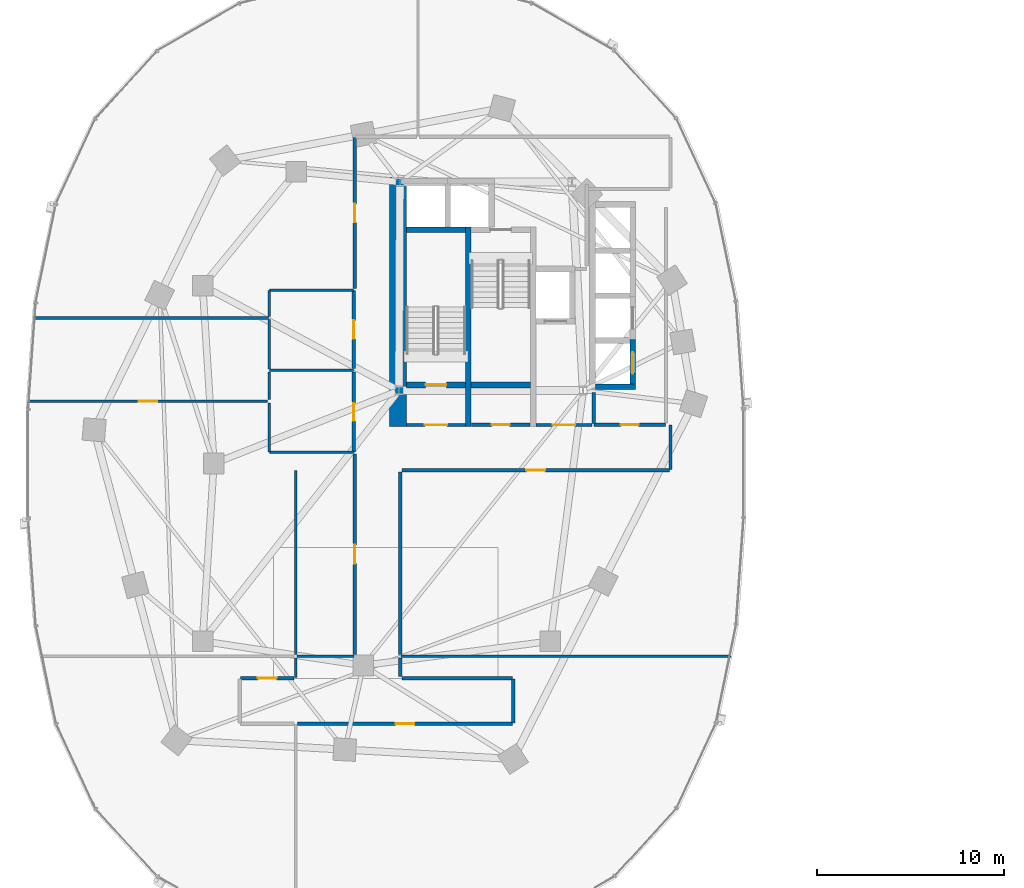
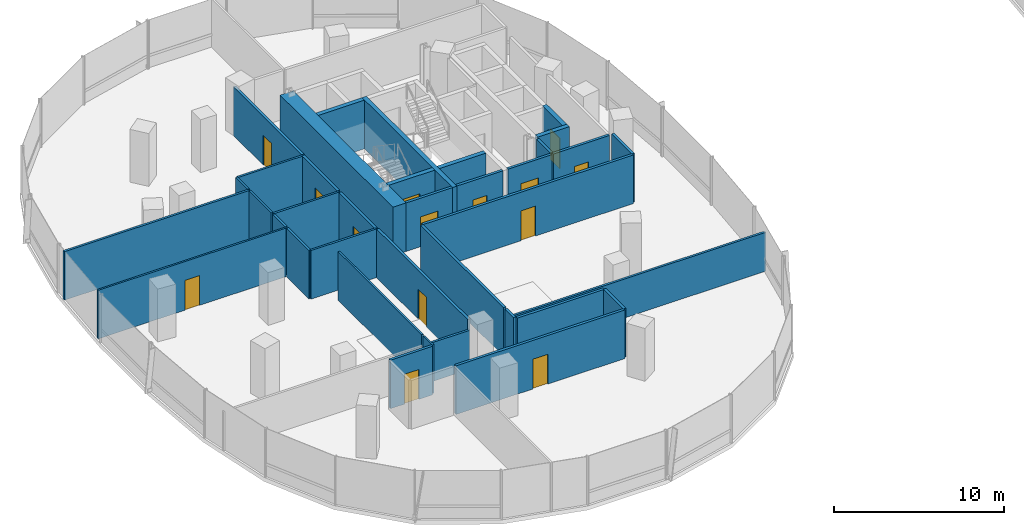
# One storey, part 11 of 21: 37 walls, 14 doors, 14 openings.
"""IFC4 building model written with IfcOpenShell, lengths in metres."""

from ifc_helpers import new_model, si_unit, direction, frame, frame_2d, origin, place, context, subcontext, project, spatial, rectangle, extrude, material, layer, layer_set, type_object, element, fill, save


model = new_model("IFC4")

# Units and contexts
model_context = context("Model", 3, precision=1e-05, world=origin(), true_north=direction((0.0, 1.0)))
body_context = subcontext(model_context, "Body", "Model", "MODEL_VIEW")
ifc_project = project(units=[si_unit("LENGTHUNIT", "METRE"), si_unit("AREAUNIT", "SQUARE_METRE"), si_unit("VOLUMEUNIT", "CUBIC_METRE"), si_unit("PLANEANGLEUNIT", "RADIAN"), si_unit("MASSUNIT", "GRAM", prefix="KILO"), si_unit("THERMODYNAMICTEMPERATUREUNIT", "KELVIN"), si_unit("POWERUNIT", "WATT")], contexts=[model_context])

# Site, building, storey
site_placement = place(None, origin())
site = spatial("IfcSite", under=ifc_project, at=site_placement, CompositionType="ELEMENT")
building_placement = place(site_placement, origin())
building = spatial("IfcBuilding", under=site, at=building_placement, Name="Cundina Bronze Exchange", CompositionType="ELEMENT")
storey_placement = place(building_placement, frame((0.0, 0.0, 46.800048828125)))
storey = spatial("IfcBuildingStorey", under=building, at=storey_placement, Name="L11", CompositionType="ELEMENT", Elevation=46.800048828125)

# Wall
ifc_material_1 = material(Name="Gypsum Fireboard Partition EI120")
ifc_layer_1 = layer(ifc_material_1, 0.179931640625, Name="Gypsum Fireboard Partition EI120")
ifc_layer_set_1 = layer_set([ifc_layer_1], Name="Gypsum Fireboard Partition EI120")
wall_type_1 = type_object("IfcWallType", Name="WL-COR-180", PredefinedType="PARTITIONING", material=ifc_layer_set_1)
wall_1_placement = place(storey_placement, frame((-20.889892578125, 2.14990234375, 0.0), z_axis=(0.0, 0.0, 1.0), x_axis=(0.0, 1.0, 0.0)))
element("IfcWall", 1, at=wall_1_placement, inside=storey, type_object=wall_type_1, Name="L11 W Firefighting Lobby Side Wall", PredefinedType="PARTITIONING", context=body_context, shape_type="SweptSolid", body=[
    extrude(rectangle(XDim=1.650146484375, YDim=0.179931640625, at=frame_2d((0.8251953125, 0.0))), origin(), (0.0, 0.0, 1.0), 3.5),
])

# Wall, opening, door
wall_2_placement = place(storey_placement, frame((-23.97998046875, 2.06005859375, 0.0), z_axis=(0.0, 0.0, 1.0), x_axis=(1.0, 0.0, 0.0)))
wall_2 = element("IfcWall", 2, at=wall_2_placement, inside=storey, type_object=wall_type_1, Name="L11 W Firefighting Lobby Exit Wall", PredefinedType="PARTITIONING", context=body_context, shape_type="SweptSolid", body=[
    extrude(rectangle(XDim=3.0, YDim=0.179931640625, at=frame_2d((1.5, 0.0))), origin(), (0.0, 0.0, 1.0), 3.5),
])
opening_1_placement = place(wall_2_placement, frame((0.89990234375, 0.0, 0.0)))
opening_1 = element("IfcOpeningElement", 3, at=opening_1_placement, cuts=wall_2, Name="Opening DF-01", PredefinedType="OPENING", context=body_context, shape_type="SweptSolid", body=[
    extrude(rectangle(XDim=1.199951171875, YDim=2.14990234375, at=frame_2d((0.60009765625, 1.074951171875))), frame((0.0, 0.099853515625, 0.0), z_axis=(0.0, -1.0, 0.0), x_axis=(1.0, 0.0, 0.0)), (0.0, 0.0, 1.0), 0.199951171875),
])
ifc_material_2 = material(Name="Steel ASTM A36 Painted", Category="steel")
door_type_1 = type_object("IfcDoorType", Name="DR-FFL-1200", OperationType="NOTDEFINED", PredefinedType="DOOR", material=ifc_material_2)
door_1_placement = place(opening_1_placement, origin())
door_1 = element("IfcDoor", 4, at=door_1_placement, inside=storey, type_object=door_type_1, Name="L11 W Firefighting Lobby Door", OperationType="SINGLE_SWING_RIGHT", OverallHeight=2.14990234375, OverallWidth=1.199951171875, PredefinedType="DOOR", context=body_context, shape_type="SweptSolid", body=[
    extrude(rectangle(XDim=1.199951171875, YDim=2.14990234375, at=frame_2d((0.60009765625, 1.074951171875))), frame((0.0, 0.02490234375, 0.0), z_axis=(0.0, -1.0, 0.0), x_axis=(1.0, 0.0, 0.0)), (0.0, 0.0, 1.0), 0.050048828125),
])
fill(opening_1, door_1)

wall_3_placement = place(storey_placement, frame((-30.89990234375, 2.06005859375, 0.0), z_axis=(0.0, 0.0, 1.0), x_axis=(1.0, 0.0, 0.0)))
wall_3 = element("IfcWall", 5, at=wall_3_placement, inside=storey, type_object=wall_type_1, Name="L11 W Stair Vestibule Exit Wall", PredefinedType="PARTITIONING", context=body_context, shape_type="SweptSolid", body=[
    extrude(rectangle(XDim=3.159912109375, YDim=0.179931640625, at=frame_2d((1.580078125, 0.0))), origin(), (0.0, 0.0, 1.0), 3.5),
])
opening_2_placement = place(wall_3_placement, frame((0.97998046875, 0.0, 0.0)))
opening_2 = element("IfcOpeningElement", 6, at=opening_2_placement, cuts=wall_3, Name="Opening DF-01", PredefinedType="OPENING", context=body_context, shape_type="SweptSolid", body=[
    extrude(rectangle(XDim=1.199951171875, YDim=2.14990234375, at=frame_2d((0.60009765625, 1.074951171875))), frame((0.0, 0.099853515625, 0.0), z_axis=(0.0, -1.0, 0.0), x_axis=(1.0, 0.0, 0.0)), (0.0, 0.0, 1.0), 0.199951171875),
])
door_2_placement = place(opening_2_placement, origin())
door_2 = element("IfcDoor", 7, at=door_2_placement, inside=storey, type_object=door_type_1, Name="L11 W Stair Vestibule Door", OperationType="SINGLE_SWING_LEFT", OverallHeight=2.14990234375, OverallWidth=1.199951171875, PredefinedType="DOOR", context=body_context, shape_type="SweptSolid", body=[
    extrude(rectangle(XDim=1.199951171875, YDim=2.14990234375, at=frame_2d((0.60009765625, 1.074951171875))), frame((0.0, 0.02490234375, 0.0), z_axis=(0.0, -1.0, 0.0), x_axis=(1.0, 0.0, 0.0)), (0.0, 0.0, 1.0), 0.050048828125),
])
fill(opening_2, door_2)

wall_4_placement = place(storey_placement, frame((-20.8701171875, 2.070068359375, 0.0), z_axis=(0.0, 0.0, 1.0), x_axis=(1.0, 0.0, 0.0)))
wall_4 = element("IfcWall", 8, at=wall_4_placement, inside=storey, type_object=wall_type_1, Name="L11 Interior Partition 002", PredefinedType="PARTITIONING", context=body_context, shape_type="SweptSolid", body=[
    extrude(rectangle(XDim=3.830078125, YDim=0.179931640625, at=frame_2d((1.9150390625, 0.0))), origin(), (0.0, 0.0, 1.0), 3.5),
])
opening_3_placement = place(wall_4_placement, frame((1.43994140625, 0.0, 0.0)))
opening_3 = element("IfcOpeningElement", 9, at=opening_3_placement, cuts=wall_4, Name="Opening DW-01", PredefinedType="OPENING", context=body_context, shape_type="SweptSolid", body=[
    extrude(rectangle(XDim=0.949951171875, YDim=2.10009765625, at=frame_2d((0.47509765625, 1.050048828125))), frame((0.0, 0.099853515625, 0.0), z_axis=(0.0, -1.0, 0.0), x_axis=(1.0, 0.0, 0.0)), (0.0, 0.0, 1.0), 0.199951171875),
])
ifc_material_3 = material(Name="Solid Andean Oak Timber Grade A", Category="wood")
door_type_2 = type_object("IfcDoorType", Name="DR-WC-950", OperationType="NOTDEFINED", PredefinedType="DOOR", material=ifc_material_3)
door_3_placement = place(opening_3_placement, origin())
door_3 = element("IfcDoor", 10, at=door_3_placement, inside=storey, type_object=door_type_2, Name="L11 Interior Door 002", OperationType="SINGLE_SWING_RIGHT", OverallHeight=2.10009765625, OverallWidth=0.949951171875, PredefinedType="DOOR", context=body_context, shape_type="SweptSolid", body=[
    extrude(rectangle(XDim=0.949951171875, YDim=2.10009765625, at=frame_2d((0.47509765625, 1.050048828125))), frame((0.0, 0.02490234375, 0.0), z_axis=(0.0, -1.0, 0.0), x_axis=(1.0, 0.0, 0.0)), (0.0, 0.0, 1.0), 0.050048828125),
])
fill(opening_3, door_3)

wall_5_placement = place(storey_placement, frame((-27.419921875, 2.070068359375, 0.0), z_axis=(0.0, 0.0, 1.0), x_axis=(1.0, 0.0, 0.0)))
wall_5 = element("IfcWall", 11, at=wall_5_placement, inside=storey, type_object=wall_type_1, Name="L11 Interior Partition 005", PredefinedType="PARTITIONING", context=body_context, shape_type="SweptSolid", body=[
    extrude(rectangle(XDim=3.119873046875, YDim=0.179931640625, at=frame_2d((1.56005859375, 0.0))), origin(), (0.0, 0.0, 1.0), 3.5),
])
opening_4_placement = place(wall_5_placement, frame((1.0849609375, 0.0, 0.0)))
opening_4 = element("IfcOpeningElement", 12, at=opening_4_placement, cuts=wall_5, Name="Opening DW-01", PredefinedType="OPENING", context=body_context, shape_type="SweptSolid", body=[
    extrude(rectangle(XDim=0.949951171875, YDim=2.10009765625, at=frame_2d((0.47509765625, 1.050048828125))), frame((0.0, 0.099853515625, 0.0), z_axis=(0.0, -1.0, 0.0), x_axis=(1.0, 0.0, 0.0)), (0.0, 0.0, 1.0), 0.199951171875),
])
door_4_placement = place(opening_4_placement, origin())
door_4 = element("IfcDoor", 13, at=door_4_placement, inside=storey, type_object=door_type_2, Name="L11 Interior Door 005", OperationType="SINGLE_SWING_RIGHT", OverallHeight=2.10009765625, OverallWidth=0.949951171875, PredefinedType="DOOR", context=body_context, shape_type="SweptSolid", body=[
    extrude(rectangle(XDim=0.949951171875, YDim=2.10009765625, at=frame_2d((0.47509765625, 1.050048828125))), frame((0.0, 0.02490234375, 0.0), z_axis=(0.0, -1.0, 0.0), x_axis=(1.0, 0.0, 0.0)), (0.0, 0.0, 1.0), 0.050048828125),
])
fill(opening_4, door_4)

wall_6_placement = place(storey_placement, frame((-33.719970703125, 0.6201171875, 0.0), z_axis=(0.0, 0.0, 1.0), x_axis=(0.0, 1.0, 0.0)))
wall_6 = element("IfcWall", 14, at=wall_6_placement, inside=storey, type_object=wall_type_1, Name="L11 Interior Partition 013", PredefinedType="PARTITIONING", context=body_context, shape_type="SweptSolid", body=[
    extrude(rectangle(XDim=4.259765625, YDim=0.179931640625, at=frame_2d((2.1298828125, 0.0))), origin(), (0.0, 0.0, 1.0), 3.5),
])
opening_5_placement = place(wall_6_placement, frame((1.655029296875, 0.0, 0.0)))
opening_5 = element("IfcOpeningElement", 15, at=opening_5_placement, cuts=wall_6, Name="Opening DW-01", PredefinedType="OPENING", context=body_context, shape_type="SweptSolid", body=[
    extrude(rectangle(XDim=0.949951171875, YDim=2.10009765625, at=frame_2d((0.47509765625, 1.050048828125))), frame((0.0, 0.099853515625, 0.0), z_axis=(0.0, -1.0, 0.0), x_axis=(1.0, 0.0, 0.0)), (0.0, 0.0, 1.0), 0.199951171875),
])
door_5_placement = place(opening_5_placement, origin())
door_5 = element("IfcDoor", 16, at=door_5_placement, inside=storey, type_object=door_type_2, Name="L11 Interior Door 013", OperationType="SINGLE_SWING_RIGHT", OverallHeight=2.10009765625, OverallWidth=0.949951171875, PredefinedType="DOOR", context=body_context, shape_type="SweptSolid", body=[
    extrude(rectangle(XDim=0.949951171875, YDim=2.10009765625, at=frame_2d((0.47509765625, 1.050048828125))), frame((0.0, 0.02490234375, 0.0), z_axis=(0.0, -1.0, 0.0), x_axis=(1.0, 0.0, 0.0)), (0.0, 0.0, 1.0), 0.050048828125),
])
fill(opening_5, door_5)

wall_7_placement = place(storey_placement, frame((-33.719970703125, 5.080078125, 0.0), z_axis=(0.0, 0.0, 1.0), x_axis=(0.0, 1.0, 0.0)))
wall_7 = element("IfcWall", 17, at=wall_7_placement, inside=storey, type_object=wall_type_1, Name="L11 Interior Partition 014", PredefinedType="PARTITIONING", context=body_context, shape_type="SweptSolid", body=[
    extrude(rectangle(XDim=4.159912109375, YDim=0.179931640625, at=frame_2d((2.080078125, 0.0))), origin(), (0.0, 0.0, 1.0), 3.5),
])
opening_6_placement = place(wall_7_placement, frame((1.580078125, 0.0, 0.0)))
opening_6 = element("IfcOpeningElement", 18, at=opening_6_placement, cuts=wall_7, Name="Opening DO-01", PredefinedType="OPENING", context=body_context, shape_type="SweptSolid", body=[
    extrude(rectangle(XDim=1.0, YDim=2.14990234375, at=frame_2d((0.5, 1.074951171875))), frame((0.0, 0.099853515625, 0.0), z_axis=(0.0, -1.0, 0.0), x_axis=(1.0, 0.0, 0.0)), (0.0, 0.0, 1.0), 0.199951171875),
])
door_type_3 = type_object("IfcDoorType", Name="DR-OFF-1000", OperationType="NOTDEFINED", PredefinedType="DOOR", material=ifc_material_3)
door_6_placement = place(opening_6_placement, origin())
door_6 = element("IfcDoor", 19, at=door_6_placement, inside=storey, type_object=door_type_3, Name="L11 Interior Door 014", OperationType="SINGLE_SWING_RIGHT", OverallHeight=2.14990234375, OverallWidth=1.0, PredefinedType="DOOR", context=body_context, shape_type="SweptSolid", body=[
    extrude(rectangle(XDim=1.0, YDim=2.14990234375, at=frame_2d((0.5, 1.074951171875))), frame((0.0, 0.02490234375, 0.0), z_axis=(0.0, -1.0, 0.0), x_axis=(1.0, 0.0, 0.0)), (0.0, 0.0, 1.0), 0.050048828125),
])
fill(opening_6, door_6)

wall_8_placement = place(storey_placement, frame((-36.72998046875, -13.919921875, 0.0), z_axis=(0.0, 0.0, 1.0), x_axis=(1.0, 0.0, 0.0)))
wall_8 = element("IfcWall", 20, at=wall_8_placement, inside=storey, type_object=wall_type_1, Name="L11 Interior Partition 023", PredefinedType="PARTITIONING", context=body_context, shape_type="SweptSolid", body=[
    extrude(rectangle(XDim=11.508544921875, YDim=0.179931640625, at=frame_2d((5.75439453125, 0.0))), origin(), (0.0, 0.0, 1.0), 3.5),
])
opening_7_placement = place(wall_8_placement, frame((5.254150390625, 0.0, 0.0)))
opening_7 = element("IfcOpeningElement", 21, at=opening_7_placement, cuts=wall_8, Name="Opening DO-01", PredefinedType="OPENING", context=body_context, shape_type="SweptSolid", body=[
    extrude(rectangle(XDim=1.0, YDim=2.14990234375, at=frame_2d((0.5, 1.074951171875))), frame((0.0, 0.099853515625, 0.0), z_axis=(0.0, -1.0, 0.0), x_axis=(1.0, 0.0, 0.0)), (0.0, 0.0, 1.0), 0.199951171875),
])
door_7_placement = place(opening_7_placement, origin())
door_7 = element("IfcDoor", 22, at=door_7_placement, inside=storey, type_object=door_type_3, Name="L11 Interior Door 023", OperationType="SINGLE_SWING_RIGHT", OverallHeight=2.14990234375, OverallWidth=1.0, PredefinedType="DOOR", context=body_context, shape_type="SweptSolid", body=[
    extrude(rectangle(XDim=1.0, YDim=2.14990234375, at=frame_2d((0.5, 1.074951171875))), frame((0.0, 0.02490234375, 0.0), z_axis=(0.0, -1.0, 0.0), x_axis=(1.0, 0.0, 0.0)), (0.0, 0.0, 1.0), 0.050048828125),
])
fill(opening_7, door_7)

# Walls
wall_9_placement = place(storey_placement, frame((-25.221435546875, -11.47998046875, 0.0), z_axis=(0.0, 0.0, 1.0), x_axis=(-1.0, 0.0, 0.0)))
element("IfcWall", 23, at=wall_9_placement, inside=storey, type_object=wall_type_1, Name="L11 Interior Partition 024", PredefinedType="PARTITIONING", context=body_context, shape_type="SweptSolid", body=[
    extrude(rectangle(XDim=5.928466796875, YDim=0.179931640625, at=frame_2d((2.96435546875, 0.0))), origin(), (0.0, 0.0, 1.0), 3.5),
])
wall_10_placement = place(storey_placement, frame((-25.179931640625, -13.87841796875, 0.0), z_axis=(0.0, 0.0, 1.0), x_axis=(0.0, 1.0, 0.0)))
element("IfcWall", 24, at=wall_10_placement, inside=storey, type_object=wall_type_1, Name="L11 Interior Partition 025", PredefinedType="PARTITIONING", context=body_context, shape_type="SweptSolid", body=[
    extrude(rectangle(XDim=2.35693359375, YDim=0.179931640625, at=frame_2d((1.178466796875, 0.0))), origin(), (0.0, 0.0, 1.0), 3.5),
])
wall_11_placement = place(storey_placement, frame((-31.22998046875, -11.39990234375, 0.0), z_axis=(0.0, 0.0, 1.0), x_axis=(0.0, 1.0, 0.0)))
element("IfcWall", 25, at=wall_11_placement, inside=storey, type_object=wall_type_1, Name="L11 Interior Partition 026", PredefinedType="PARTITIONING", context=body_context, shape_type="SweptSolid", body=[
    extrude(rectangle(XDim=1.0, YDim=0.179931640625, at=frame_2d((0.5, 0.0))), origin(), (0.0, 0.0, 1.0), 3.5),
])

# Wall, opening, door
wall_12_placement = place(storey_placement, frame((-36.909912109375, -11.47998046875, 0.0), z_axis=(0.0, 0.0, 1.0), x_axis=(-1.0, 0.0, 0.0)))
wall_12 = element("IfcWall", 26, at=wall_12_placement, inside=storey, type_object=wall_type_1, Name="L11 Interior Partition 027", PredefinedType="PARTITIONING", context=body_context, shape_type="SweptSolid", body=[
    extrude(rectangle(XDim=2.86865234375, YDim=0.179931640625, at=frame_2d((1.434326171875, 0.0))), origin(), (0.0, 0.0, 1.0), 3.5),
])
opening_8_placement = place(wall_12_placement, frame((0.934326171875, 0.0, 0.0)))
opening_8 = element("IfcOpeningElement", 27, at=opening_8_placement, cuts=wall_12, Name="Opening DO-01", PredefinedType="OPENING", context=body_context, shape_type="SweptSolid", body=[
    extrude(rectangle(XDim=1.0, YDim=2.14990234375, at=frame_2d((0.5, 1.074951171875))), frame((0.0, 0.099853515625, 0.0), z_axis=(0.0, -1.0, 0.0), x_axis=(1.0, 0.0, 0.0)), (0.0, 0.0, 1.0), 0.199951171875),
])
door_8_placement = place(opening_8_placement, origin())
door_8 = element("IfcDoor", 28, at=door_8_placement, inside=storey, type_object=door_type_3, Name="L11 Interior Door 027", OperationType="SINGLE_SWING_LEFT", OverallHeight=2.14990234375, OverallWidth=1.0, PredefinedType="DOOR", context=body_context, shape_type="SweptSolid", body=[
    extrude(rectangle(XDim=1.0, YDim=2.14990234375, at=frame_2d((0.5, 1.074951171875))), frame((0.0, 0.02490234375, 0.0), z_axis=(0.0, -1.0, 0.0), x_axis=(1.0, 0.0, 0.0)), (0.0, 0.0, 1.0), 0.050048828125),
])
fill(opening_8, door_8)

wall_13_placement = place(storey_placement, frame((-33.669921875, 0.508544921875, 0.0), z_axis=(0.0, 0.0, 1.0), x_axis=(0.0, -1.0, 0.0)))
wall_13 = element("IfcWall", 29, at=wall_13_placement, inside=storey, type_object=wall_type_1, Name="L11 Interior Partition 030", PredefinedType="PARTITIONING", context=body_context, shape_type="SweptSolid", body=[
    extrude(rectangle(XDim=10.728515625, YDim=0.179931640625, at=frame_2d((5.3642578125, 0.0))), origin(), (0.0, 0.0, 1.0), 3.5),
])
opening_9_placement = place(wall_13_placement, frame((4.8642578125, 0.0, 0.0)))
opening_9 = element("IfcOpeningElement", 30, at=opening_9_placement, cuts=wall_13, Name="Opening DO-01", PredefinedType="OPENING", context=body_context, shape_type="SweptSolid", body=[
    extrude(rectangle(XDim=1.0, YDim=2.14990234375, at=frame_2d((0.5, 1.074951171875))), frame((0.0, 0.099853515625, 0.0), z_axis=(0.0, -1.0, 0.0), x_axis=(1.0, 0.0, 0.0)), (0.0, 0.0, 1.0), 0.199951171875),
])
door_9_placement = place(opening_9_placement, origin())
door_9 = element("IfcDoor", 31, at=door_9_placement, inside=storey, type_object=door_type_3, Name="L11 Interior Door 030", OperationType="SINGLE_SWING_LEFT", OverallHeight=2.14990234375, OverallWidth=1.0, PredefinedType="DOOR", context=body_context, shape_type="SweptSolid", body=[
    extrude(rectangle(XDim=1.0, YDim=2.14990234375, at=frame_2d((0.5, 1.074951171875))), frame((0.0, 0.02490234375, 0.0), z_axis=(0.0, -1.0, 0.0), x_axis=(1.0, 0.0, 0.0)), (0.0, 0.0, 1.0), 0.050048828125),
])
fill(opening_9, door_9)

wall_14_placement = place(storey_placement, frame((-31.14990234375, -0.3701171875, 0.0), z_axis=(0.0, 0.0, 1.0), x_axis=(1.0, 0.0, 0.0)))
wall_14 = element("IfcWall", 32, at=wall_14_placement, inside=storey, type_object=wall_type_1, Name="L11 Interior Partition 031", PredefinedType="PARTITIONING", context=body_context, shape_type="SweptSolid", body=[
    extrude(rectangle(XDim=14.328369140625, YDim=0.179931640625, at=frame_2d((7.1640625, 0.0))), origin(), (0.0, 0.0, 1.0), 3.5),
])
opening_10_placement = place(wall_14_placement, frame((6.664306640625, 0.0, 0.0)))
opening_10 = element("IfcOpeningElement", 33, at=opening_10_placement, cuts=wall_14, Name="Opening DO-01", PredefinedType="OPENING", context=body_context, shape_type="SweptSolid", body=[
    extrude(rectangle(XDim=1.0, YDim=2.14990234375, at=frame_2d((0.5, 1.074951171875))), frame((0.0, 0.099853515625, 0.0), z_axis=(0.0, -1.0, 0.0), x_axis=(1.0, 0.0, 0.0)), (0.0, 0.0, 1.0), 0.199951171875),
])
door_10_placement = place(opening_10_placement, origin())
door_10 = element("IfcDoor", 34, at=door_10_placement, inside=storey, type_object=door_type_3, Name="L11 Interior Door 031", OperationType="SINGLE_SWING_RIGHT", OverallHeight=2.14990234375, OverallWidth=1.0, PredefinedType="DOOR", context=body_context, shape_type="SweptSolid", body=[
    extrude(rectangle(XDim=1.0, YDim=2.14990234375, at=frame_2d((0.5, 1.074951171875))), frame((0.0, 0.02490234375, 0.0), z_axis=(0.0, -1.0, 0.0), x_axis=(1.0, 0.0, 0.0)), (0.0, 0.0, 1.0), 0.050048828125),
])
fill(opening_10, door_10)

# Walls
wall_15_placement = place(storey_placement, frame((-31.22998046875, -10.219970703125, 0.0), z_axis=(0.0, 0.0, 1.0), x_axis=(0.0, 1.0, 0.0)))
element("IfcWall", 35, at=wall_15_placement, inside=storey, type_object=wall_type_1, Name="L11 Interior Partition 033", PredefinedType="PARTITIONING", context=body_context, shape_type="SweptSolid", body=[
    extrude(rectangle(XDim=9.77001953125, YDim=0.179931640625, at=frame_2d((4.885009765625, 0.0))), origin(), (0.0, 0.0, 1.0), 3.5),
])
wall_16_placement = place(storey_placement, frame((-16.780029296875, -0.32861328125, 0.0), z_axis=(0.0, 0.0, 1.0), x_axis=(0.0, 1.0, 0.0)))
element("IfcWall", 36, at=wall_16_placement, inside=storey, type_object=wall_type_1, Name="L11 Interior Partition 036", PredefinedType="PARTITIONING", context=body_context, shape_type="SweptSolid", body=[
    extrude(rectangle(XDim=2.38720703125, YDim=0.179931640625, at=frame_2d((1.193603515625, 0.0))), origin(), (0.0, 0.0, 1.0), 3.5),
])

# Wall, opening, door
wall_17_placement = place(storey_placement, frame((-33.669921875, 17.428466796875, 0.0), z_axis=(0.0, 0.0, 1.0), x_axis=(0.0, -1.0, 0.0)))
wall_17 = element("IfcWall", 37, at=wall_17_placement, inside=storey, type_object=wall_type_1, Name="L11 Interior Partition 037", PredefinedType="PARTITIONING", context=body_context, shape_type="SweptSolid", body=[
    extrude(rectangle(XDim=8.0771484375, YDim=0.179931640625, at=frame_2d((4.03857421875, 0.0))), origin(), (0.0, 0.0, 1.0), 3.5),
])
opening_11_placement = place(wall_17_placement, frame((3.53857421875, 0.0, 0.0)))
opening_11 = element("IfcOpeningElement", 38, at=opening_11_placement, cuts=wall_17, Name="Opening DO-01", PredefinedType="OPENING", context=body_context, shape_type="SweptSolid", body=[
    extrude(rectangle(XDim=1.0, YDim=2.14990234375, at=frame_2d((0.5, 1.074951171875))), frame((0.0, 0.099853515625, 0.0), z_axis=(0.0, -1.0, 0.0), x_axis=(1.0, 0.0, 0.0)), (0.0, 0.0, 1.0), 0.199951171875),
])
door_11_placement = place(opening_11_placement, origin())
door_11 = element("IfcDoor", 39, at=door_11_placement, inside=storey, type_object=door_type_3, Name="L11 Interior Door 037", OperationType="SINGLE_SWING_LEFT", OverallHeight=2.14990234375, OverallWidth=1.0, PredefinedType="DOOR", context=body_context, shape_type="SweptSolid", body=[
    extrude(rectangle(XDim=1.0, YDim=2.14990234375, at=frame_2d((0.5, 1.074951171875))), frame((0.0, 0.02490234375, 0.0), z_axis=(0.0, -1.0, 0.0), x_axis=(1.0, 0.0, 0.0)), (0.0, 0.0, 1.0), 0.050048828125),
])
fill(opening_11, door_11)

# Walls
ifc_material_4 = material(Name="Concrete C60/75", Category="concrete")
ifc_layer_2 = layer(ifc_material_4, 0.89990234375, Name="Concrete C60/75", Category="concrete")
ifc_layer_set_2 = layer_set([ifc_layer_2], Name="Concrete C60/75")
wall_type_2 = type_object("IfcWallType", Name="WL-CORE-900", PredefinedType="SHEAR", material=ifc_layer_set_2)
wall_18_placement = place(storey_placement, frame((-31.35009765625, 1.969970703125, 0.0), z_axis=(0.0, 0.0, 1.0), x_axis=(0.0, 1.0, 0.0)))
element("IfcWall", 40, at=wall_18_placement, inside=storey, type_object=wall_type_2, Name="L11 W Primary Core Shear Spine Wall", PredefinedType="SHEAR", context=body_context, shape_type="SweptSolid", body=[
    extrude(rectangle(XDim=13.330078125, YDim=0.89990234375, at=frame_2d((6.6650390625, 0.0))), origin(), (0.0, 0.0, 1.0), 3.5),
])
ifc_material_5 = material(Name="Gypsum Acoustic Partition EI60")
ifc_layer_3 = layer(ifc_material_5, 0.125, Name="Gypsum Acoustic Partition EI60")
ifc_layer_set_3 = layer_set([ifc_layer_3], Name="Gypsum Acoustic Partition EI60")
wall_type_3 = type_object("IfcWallType", Name="WL-OFF-125", PredefinedType="PARTITIONING", material=ifc_layer_set_3)
wall_19_placement = place(storey_placement, frame((-36.820068359375, -11.449951171875, 0.0), z_axis=(0.0, 0.0, 1.0), x_axis=(0.0, 1.0, 0.0)))
element("IfcWall", 41, at=wall_19_placement, inside=storey, type_object=wall_type_3, Name="L11 Interior Partition 016", PredefinedType="PARTITIONING", context=body_context, shape_type="SweptSolid", body=[
    extrude(rectangle(XDim=1.054931640625, YDim=0.125, at=frame_2d((0.52734375, 0.0))), origin(), (0.0, 0.0, 1.0), 3.5),
])
wall_20_placement = place(storey_placement, frame((-36.820068359375, -10.22509765625, 0.0), z_axis=(0.0, 0.0, 1.0), x_axis=(0.0, 1.0, 0.0)))
element("IfcWall", 42, at=wall_20_placement, inside=storey, type_object=wall_type_3, Name="L11 Interior Partition 017", PredefinedType="PARTITIONING", context=body_context, shape_type="SweptSolid", body=[
    extrude(rectangle(XDim=9.85498046875, YDim=0.125, at=frame_2d((4.927490234375, 0.0))), origin(), (0.0, 0.0, 1.0), 3.5),
])

# Wall, opening, door
wall_21_placement = place(storey_placement, frame((-38.320068359375, 3.330078125, 0.0), z_axis=(0.0, 0.0, 1.0), x_axis=(-1.0, 0.0, 0.0)))
wall_21 = element("IfcWall", 43, at=wall_21_placement, inside=storey, type_object=wall_type_3, Name="L11 Interior Partition 039", PredefinedType="PARTITIONING", context=body_context, shape_type="SweptSolid", body=[
    extrude(rectangle(XDim=12.80126953125, YDim=0.125, at=frame_2d((6.400634765625, 0.0))), origin(), (0.0, 0.0, 1.0), 3.5),
])
opening_12_placement = place(wall_21_placement, frame((5.900634765625, 0.0, 0.0)))
opening_12 = element("IfcOpeningElement", 44, at=opening_12_placement, cuts=wall_21, Name="Opening DO-01", PredefinedType="OPENING", context=body_context, shape_type="SweptSolid", body=[
    extrude(rectangle(XDim=1.0, YDim=2.14990234375, at=frame_2d((0.5, 1.074951171875))), frame((0.0, 0.072509765625, 0.0), z_axis=(0.0, -1.0, 0.0), x_axis=(1.0, 0.0, 0.0)), (0.0, 0.0, 1.0), 0.14501953125),
])
door_12_placement = place(opening_12_placement, origin())
door_12 = element("IfcDoor", 45, at=door_12_placement, inside=storey, type_object=door_type_3, Name="L11 Interior Door 039", OperationType="SINGLE_SWING_RIGHT", OverallHeight=2.14990234375, OverallWidth=1.0, PredefinedType="DOOR", context=body_context, shape_type="SweptSolid", body=[
    extrude(rectangle(XDim=1.0, YDim=2.14990234375, at=frame_2d((0.5, 1.074951171875))), frame((0.0, 0.02490234375, 0.0), z_axis=(0.0, -1.0, 0.0), x_axis=(1.0, 0.0, 0.0)), (0.0, 0.0, 1.0), 0.050048828125),
])
fill(opening_12, door_12)

# Wall
ifc_material_6 = material(Name="Concrete C50/60", Category="concrete")
ifc_layer_4 = layer(ifc_material_6, 0.300048828125, Name="Concrete C50/60", Category="concrete")
ifc_layer_set_4 = layer_set([ifc_layer_4], Name="Concrete C50/60")
wall_type_4 = type_object("IfcWallType", Name="WL-SHFT-300", PredefinedType="SHEAR", material=ifc_layer_set_4)
wall_22_placement = place(storey_placement, frame((-27.590087890625, 1.969970703125, 0.0), z_axis=(0.0, 0.0, 1.0), x_axis=(0.0, 1.0, 0.0)))
element("IfcWall", 46, at=wall_22_placement, inside=storey, type_object=wall_type_4, Name="L11 W Stair Shaft Dividing Shear Wall", PredefinedType="SHEAR", context=body_context, shape_type="SweptSolid", body=[
    extrude(rectangle(XDim=10.679931640625, YDim=0.300048828125, at=frame_2d((5.33984375, 0.0))), origin(), (0.0, 0.0, 1.0), 3.5),
])

# Wall, opening, door
wall_23_placement = place(storey_placement, frame((-30.89990234375, 4.199951171875, 0.0), z_axis=(0.0, 0.0, 1.0), x_axis=(1.0, 0.0, 0.0)))
wall_23 = element("IfcWall", 47, at=wall_23_placement, inside=storey, type_object=wall_type_4, Name="L11 Stair W1 Landing Wall", PredefinedType="SHEAR", context=body_context, shape_type="SweptSolid", body=[
    extrude(rectangle(XDim=3.159912109375, YDim=0.300048828125, at=frame_2d((1.580078125, 0.0))), origin(), (0.0, 0.0, 1.0), 3.5),
])
opening_13_placement = place(wall_23_placement, frame((1.030029296875, 0.0, 0.0)))
opening_13 = element("IfcOpeningElement", 48, at=opening_13_placement, cuts=wall_23, Name="Opening DS-01", PredefinedType="OPENING", context=body_context, shape_type="SweptSolid", body=[
    extrude(rectangle(XDim=1.10009765625, YDim=2.14990234375, at=frame_2d((0.550048828125, 1.074951171875))), frame((0.0, 0.159912109375, 0.0), z_axis=(0.0, -1.0, 0.0), x_axis=(1.0, 0.0, 0.0)), (0.0, 0.0, 1.0), 0.320068359375),
])
door_type_4 = type_object("IfcDoorType", Name="DR-STR-1100", OperationType="NOTDEFINED", PredefinedType="DOOR", material=ifc_material_2)
door_13_placement = place(opening_13_placement, origin())
door_13 = element("IfcDoor", 49, at=door_13_placement, inside=storey, type_object=door_type_4, Name="L11 Smokeproof Stair W1 Door", OperationType="SINGLE_SWING_RIGHT", OverallHeight=2.14990234375, OverallWidth=1.10009765625, PredefinedType="DOOR", context=body_context, shape_type="SweptSolid", body=[
    extrude(rectangle(XDim=1.10009765625, YDim=2.14990234375, at=frame_2d((0.550048828125, 1.074951171875))), frame((0.0, 0.02490234375, 0.0), z_axis=(0.0, -1.0, 0.0), x_axis=(1.0, 0.0, 0.0)), (0.0, 0.0, 1.0), 0.050048828125),
])
fill(opening_13, door_13)

# Walls
for number, where, z_axis, x_axis, name in (
    (50, (-30.89990234375, 12.5, 0.0), (0.0, 0.0, 1.0), (1.0, 0.0, 0.0), "L11 Stair W1 Far Shaft Wall"),
    (51, (-27.43994140625, 4.199951171875, 0.0), (0.0, 0.0, 1.0), (1.0, 0.0, 0.0), "L11 Stair W2 Far Shaft Wall"),
):
    element("IfcWall", number, at=place(storey_placement, frame(where, z_axis=z_axis, x_axis=x_axis)), inside=storey, type_object=wall_type_4, Name=name, PredefinedType="SHEAR", context=body_context, shape_type="SweptSolid", body=[
        extrude(rectangle(XDim=3.159912109375, YDim=0.300048828125, at=frame_2d((1.580078125, 0.0))), origin(), (0.0, 0.0, 1.0), 3.5),
    ])
wall_24_placement = place(storey_placement, frame((-20.800048828125, 4.10009765625, 0.0), z_axis=(0.0, 0.0, 1.0), x_axis=(1.0, 0.0, 0.0)))
element("IfcWall", 52, at=wall_24_placement, inside=storey, type_object=wall_type_4, Name="L11 W Passenger Bank South Cap Wall", PredefinedType="SHEAR", context=body_context, shape_type="SweptSolid", body=[
    extrude(rectangle(XDim=2.150146484375, YDim=0.300048828125, at=frame_2d((1.0751953125, 0.0))), origin(), (0.0, 0.0, 1.0), 3.5),
])

# Wall, opening, door
wall_25_placement = place(storey_placement, frame((-18.800048828125, 4.1298828125, 0.0), z_axis=(0.0, 0.0, 1.0), x_axis=(0.0, 1.0, 0.0)))
wall_25 = element("IfcWall", 53, at=wall_25_placement, inside=storey, type_object=wall_type_4, Name="L11 PL-W2 Hoistway Front Wall", PredefinedType="SHEAR", context=body_context, shape_type="SweptSolid", body=[
    extrude(rectangle(XDim=2.490234375, YDim=0.300048828125, at=frame_2d((1.2451171875, 0.0))), origin(), (0.0, 0.0, 1.0), 3.5),
])
opening_14_placement = place(wall_25_placement, frame((0.669921875, 0.0, 0.0)))
opening_14 = element("IfcOpeningElement", 54, at=opening_14_placement, cuts=wall_25, Name="Opening LD-01", PredefinedType="OPENING", context=body_context, shape_type="SweptSolid", body=[
    extrude(rectangle(XDim=1.14990234375, YDim=2.199951171875, at=frame_2d((0.574951171875, 1.10009765625))), frame((0.0, 0.159912109375, 0.0), z_axis=(0.0, -1.0, 0.0), x_axis=(1.0, 0.0, 0.0)), (0.0, 0.0, 1.0), 0.320068359375),
])
door_type_5 = type_object("IfcDoorType", Name="DR-LND-1150", OperationType="NOTDEFINED", PredefinedType="TRAPDOOR", material=ifc_material_2)
door_14_placement = place(opening_14_placement, origin())
door_14 = element("IfcDoor", 55, at=door_14_placement, inside=storey, type_object=door_type_5, Name="L11 PL-W2 Sliding Landing Door", OperationType="SLIDING_TO_LEFT", OverallHeight=2.199951171875, OverallWidth=1.14990234375, PredefinedType="TRAPDOOR", context=body_context, shape_type="SweptSolid", body=[
    extrude(rectangle(XDim=1.14990234375, YDim=2.199951171875, at=frame_2d((0.574951171875, 1.10009765625))), frame((0.0, 0.02490234375, 0.0), z_axis=(0.0, -1.0, 0.0), x_axis=(1.0, 0.0, 0.0)), (0.0, 0.0, 1.0), 0.050048828125),
])
fill(opening_14, door_14)

# Walls
ifc_layer_5 = layer(ifc_material_5, 0.14990234375, Name="Gypsum Acoustic Partition EI60")
ifc_layer_set_5 = layer_set([ifc_layer_5], Name="Gypsum Acoustic Partition EI60")
wall_type_5 = type_object("IfcWallType", Name="WL-TEN-150", PredefinedType="PARTITIONING", material=ifc_layer_set_5)
wall_26_placement = place(storey_placement, frame((-36.7451171875, -10.31005859375, 0.0), z_axis=(0.0, 0.0, 1.0), x_axis=(1.0, 0.0, 0.0)))
element("IfcWall", 56, at=wall_26_placement, inside=storey, type_object=wall_type_5, Name="L11 Interior Partition 019", PredefinedType="PARTITIONING", context=body_context, shape_type="SweptSolid", body=[
    extrude(rectangle(XDim=3.045166015625, YDim=0.14990234375, at=frame_2d((1.5224609375, 0.0))), origin(), (0.0, 0.0, 1.0), 2.804931640625),
])
wall_27_placement = place(storey_placement, frame((-31.199951171875, -10.31005859375, 0.0), z_axis=(0.0, 0.0, 1.0), x_axis=(1.0, 0.0, 0.0)))
element("IfcWall", 57, at=wall_27_placement, inside=storey, type_object=wall_type_5, Name="L11 Interior Partition 020", PredefinedType="PARTITIONING", context=body_context, shape_type="SweptSolid", body=[
    extrude(rectangle(XDim=17.66357421875, YDim=0.14990234375, at=frame_2d((8.831787109375, 0.0))), origin(), (0.0, 0.0, 1.0), 2.804931640625),
])
wall_28_placement = place(storey_placement, frame((-50.866455078125, 7.780029296875, 0.0), z_axis=(0.0, 0.0, 1.0), x_axis=(1.0, 0.0, 0.0)))
element("IfcWall", 58, at=wall_28_placement, inside=storey, type_object=wall_type_5, Name="L11 Interior Partition 021", PredefinedType="PARTITIONING", context=body_context, shape_type="SweptSolid", body=[
    extrude(rectangle(XDim=12.596435546875, YDim=0.14990234375, at=frame_2d((6.29833984375, 0.0))), origin(), (0.0, 0.0, 1.0), 3.5),
])
ifc_material_7 = material(Name="Moisture-Resistant Masonry Block Grade M15", Category="masonry")
ifc_layer_6 = layer(ifc_material_7, 0.139892578125, Name="Moisture-Resistant Masonry Block Grade M15", Category="masonry")
ifc_layer_set_6 = layer_set([ifc_layer_6], Name="Moisture-Resistant Masonry Block Grade M15")
wall_type_6 = type_object("IfcWallType", Name="WL-WET-140", PredefinedType="PARTITIONING", material=ifc_layer_set_6)
wall_29_placement = place(storey_placement, frame((-38.239990234375, 0.6201171875, 0.0), z_axis=(0.0, 0.0, 1.0), x_axis=(0.0, 1.0, 0.0)))
element("IfcWall", 59, at=wall_29_placement, inside=storey, type_object=wall_type_6, Name="L11 Interior Partition 006", PredefinedType="PARTITIONING", context=body_context, shape_type="SweptSolid", body=[
    extrude(rectangle(XDim=2.625, YDim=0.139892578125, at=frame_2d((1.3125, 0.0))), origin(), (0.0, 0.0, 1.0), 3.5),
])
wall_30_placement = place(storey_placement, frame((-38.239990234375, 3.4150390625, 0.0), z_axis=(0.0, 0.0, 1.0), x_axis=(0.0, 1.0, 0.0)))
element("IfcWall", 60, at=wall_30_placement, inside=storey, type_object=wall_type_6, Name="L11 Interior Partition 007", PredefinedType="PARTITIONING", context=body_context, shape_type="SweptSolid", body=[
    extrude(rectangle(XDim=1.47998046875, YDim=0.139892578125, at=frame_2d((0.739990234375, 0.0))), origin(), (0.0, 0.0, 1.0), 3.5),
])
wall_31_placement = place(storey_placement, frame((-38.239990234375, 5.06494140625, 0.0), z_axis=(0.0, 0.0, 1.0), x_axis=(0.0, 1.0, 0.0)))
element("IfcWall", 61, at=wall_31_placement, inside=storey, type_object=wall_type_6, Name="L11 Interior Partition 008", PredefinedType="PARTITIONING", context=body_context, shape_type="SweptSolid", body=[
    extrude(rectangle(XDim=2.630126953125, YDim=0.139892578125, at=frame_2d((1.31494140625, 0.0))), origin(), (0.0, 0.0, 1.0), 3.5),
])
wall_32_placement = place(storey_placement, frame((-38.239990234375, 7.864990234375, 0.0), z_axis=(0.0, 0.0, 1.0), x_axis=(0.0, 1.0, 0.0)))
element("IfcWall", 62, at=wall_32_placement, inside=storey, type_object=wall_type_6, Name="L11 Interior Partition 009", PredefinedType="PARTITIONING", context=body_context, shape_type="SweptSolid", body=[
    extrude(rectangle(XDim=1.375, YDim=0.139892578125, at=frame_2d((0.6875, 0.0))), origin(), (0.0, 0.0, 1.0), 3.5),
])
for number, where, z_axis, x_axis, name in (
    (63, (-38.219970703125, 0.60009765625, 0.0), (0.0, 0.0, 1.0), (1.0, 0.0, 0.0), "L11 Interior Partition 010"),
    (64, (-38.219970703125, 4.97998046875, 0.0), (0.0, 0.0, 1.0), (1.0, 0.0, 0.0), "L11 Interior Partition 011"),
    (65, (-38.219970703125, 9.260009765625, 0.0), (0.0, 0.0, 1.0), (1.0, 0.0, 0.0), "L11 Interior Partition 012"),
):
    element("IfcWall", number, at=place(storey_placement, frame(where, z_axis=z_axis, x_axis=x_axis)), inside=storey, type_object=wall_type_6, Name=name, PredefinedType="PARTITIONING", context=body_context, shape_type="SweptSolid", body=[
        extrude(rectangle(XDim=4.47998046875, YDim=0.139892578125, at=frame_2d((2.239990234375, 0.0))), origin(), (0.0, 0.0, 1.0), 3.5),
    ])

save(model, "model.ifc")
